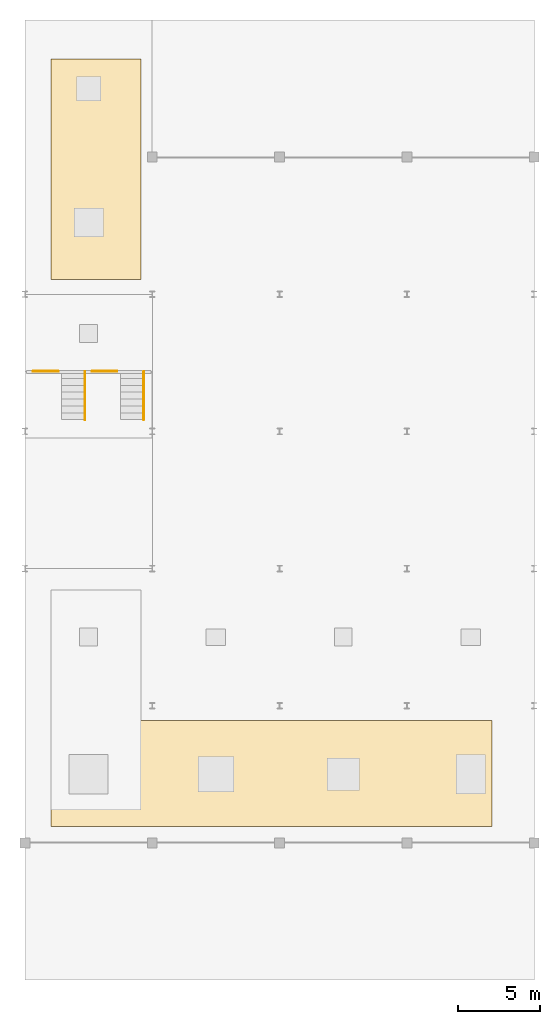
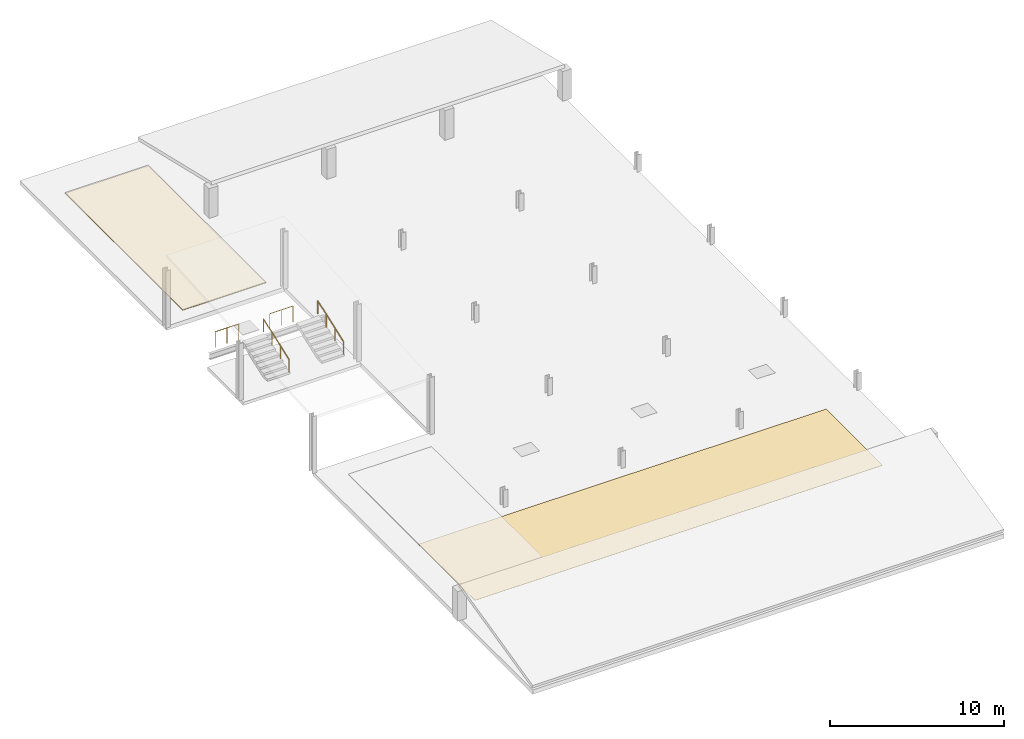
# One storey, part 4 of 4: 4 railings, 2 coverings.
"""IFC4 building model written with IfcOpenShell, lengths in metres."""

from ifc_helpers import new_model, si_unit, direction, frame, origin, origin_2d, place, context, subcontext, project, spatial, polyline, circle, outline, extrude, material, layer, layer_set, type_object, element, save


model = new_model("IFC4")

# Units and contexts
model_context = context("Model", 3, precision=1e-05, world=origin(), true_north=direction((0.0, 1.0)))
body_context = subcontext(model_context, "Body", "Model", "MODEL_VIEW")
ifc_project = project(units=[si_unit("LENGTHUNIT", "METRE"), si_unit("AREAUNIT", "SQUARE_METRE"), si_unit("VOLUMEUNIT", "CUBIC_METRE"), si_unit("PLANEANGLEUNIT", "RADIAN"), si_unit("MASSUNIT", "GRAM", prefix="KILO"), si_unit("THERMODYNAMICTEMPERATUREUNIT", "KELVIN"), si_unit("POWERUNIT", "WATT")], contexts=[model_context])

# Site, building, storey
site_placement = place(None, origin())
site = spatial("IfcSite", under=ifc_project, at=site_placement, CompositionType="ELEMENT")
building_placement = place(site_placement, origin())
building = spatial("IfcBuilding", under=site, at=building_placement, Name="Srebrne Nadtorze General Hospital", CompositionType="ELEMENT")
storey_placement = place(building_placement, frame((0.0, 0.0, 37.800048828125)))
storey = spatial("IfcBuildingStorey", under=building, at=storey_placement, Name="ROOF", CompositionType="ELEMENT", Elevation=37.800048828125)

# Coverings
ifc_material_1 = material(Name="EPDM Waterproofing Membrane")
ifc_layer = layer(ifc_material_1, 0.011962890625)
ifc_layer_set = layer_set([ifc_layer], Name="EPDM Waterproofing Membrane")
covering_type = type_object("IfcCoveringType", Name="Inverted EPDM waterproof roof membrane", PredefinedType="ROOFING", material=ifc_layer_set)
covering_1_placement = place(storey_placement, origin())
element("IfcCovering", 1, at=covering_1_placement, inside=storey, type_object=covering_type, Name="Roof membrane covering CV-ROOF-W-N", PredefinedType="ROOFING", context=body_context, shape_type="SweptSolid", body=[
    extrude(outline(polyline([(25.0, 76.5), (30.5, 76.5), (30.5, 90.0), (25.0, 90.0), (25.0, 76.5)])), origin(), (0.0, 0.0, 1.0), 0.011962890625),
])
covering_2_placement = place(storey_placement, origin())
element("IfcCovering", 2, at=covering_2_placement, inside=storey, type_object=covering_type, Name="Roof membrane covering CV-ROOF-W-S", PredefinedType="ROOFING", context=body_context, shape_type="SweptSolid", body=[
    extrude(outline(polyline([(25.0, 43.0), (52.0, 43.0), (52.0, 49.5), (25.0, 49.5), (25.0, 43.0)])), origin(), (0.0, 0.0, 1.0), 0.011962890625),
])

# Railings
ifc_material_2 = material(Name="Stainless Steel 316", Category="steel")
railing_type_1 = type_object("IfcRailingType", Name="Stairwell safety guard 1120", PredefinedType="BALUSTRADE", material=ifc_material_2)
for number, where, name in (
    (3, (23.909912109375, 70.8798828125, 1.199951171875), "Helipad vestibule deck guard ST-11"),
    (4, (27.510009765625, 70.8798828125, 1.199951171875), "Helipad vestibule deck guard ST-12"),
):
    element("IfcRailing", number, at=place(storey_placement, frame(where)), inside=storey, type_object=railing_type_1, Name=name, PredefinedType="BALUSTRADE", context=body_context, shape_type="SweptSolid", body=[
        extrude(circle(Radius=0.02392578125, at=origin_2d()), frame((0.0, 0.0, 1.09619140625), z_axis=(1.0, 0.0, 0.0), x_axis=(0.0, 1.0, 0.0)), (0.0, 0.0, 1.0), 1.5400390625),
        extrude(circle(Radius=0.02099609375, at=origin_2d()), origin(), (0.0, 0.0, 1.0), 1.072021484375),
        extrude(circle(Radius=0.02099609375, at=origin_2d()), frame((0.77001953125, 0.0, 0.0)), (0.0, 0.0, 1.0), 1.072021484375),
        extrude(circle(Radius=0.02099609375, at=origin_2d()), frame((1.5400390625, 0.0, 0.0)), (0.0, 0.0, 1.0), 1.072021484375),
    ])
ifc_material_3 = material(Name="Stainless Steel 316", Category="steel")
railing_type_2 = type_object("IfcRailingType", Name="Tubular stainless handrail 920", PredefinedType="HANDRAIL", material=ifc_material_3)
for number, where, name in (
    (5, (27.080078125, 67.919921875, 0.14990234375), "Helipad transfer handrail ST-11"),
    (6, (30.679931640625, 67.919921875, 0.14990234375), "Helipad transfer handrail ST-12"),
):
    element("IfcRailing", number, at=place(storey_placement, frame(where)), inside=storey, type_object=railing_type_2, Name=name, PredefinedType="HANDRAIL", context=body_context, shape_type="SweptSolid", body=[
        extrude(circle(Radius=0.02392578125, at=origin_2d()), frame((0.0, 0.0, 0.89599609375), z_axis=(0.0, 0.941743680777, 0.336331443247), x_axis=(-1.0, 0.0, 0.0)), (0.0, 0.0, 1.0), 3.1220703125),
        extrude(circle(Radius=0.02099609375, at=origin_2d()), origin(), (0.0, 0.0, 1.0), 0.871826171875),
        extrude(circle(Radius=0.02099609375, at=origin_2d()), frame((0.0, 0.97998046875, 0.35009765625)), (0.0, 0.0, 1.0), 0.871826171875),
        extrude(circle(Radius=0.02099609375, at=origin_2d()), frame((0.0, 1.960205078125, 0.699951171875)), (0.0, 0.0, 1.0), 0.871826171875),
        extrude(circle(Radius=0.02099609375, at=origin_2d()), frame((0.0, 2.940185546875, 1.050048828125)), (0.0, 0.0, 1.0), 0.871826171875),
    ])

save(model, "model.ifc")
